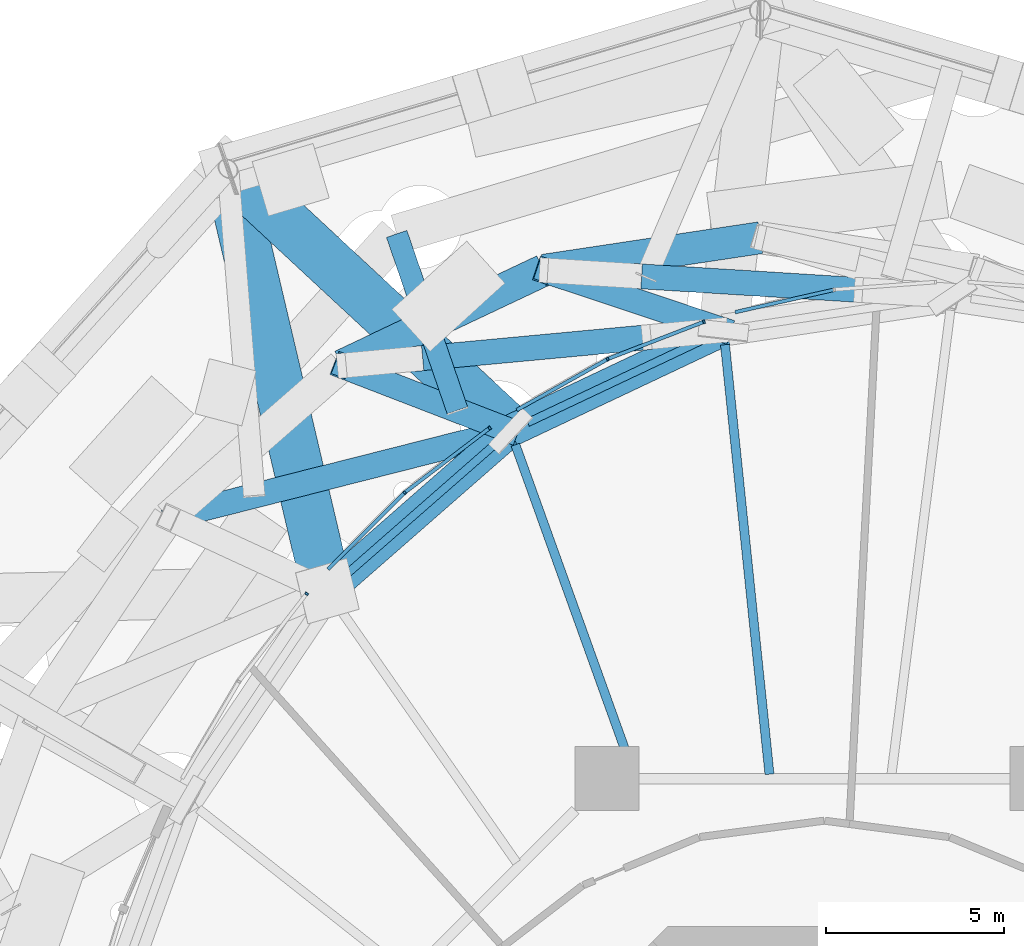
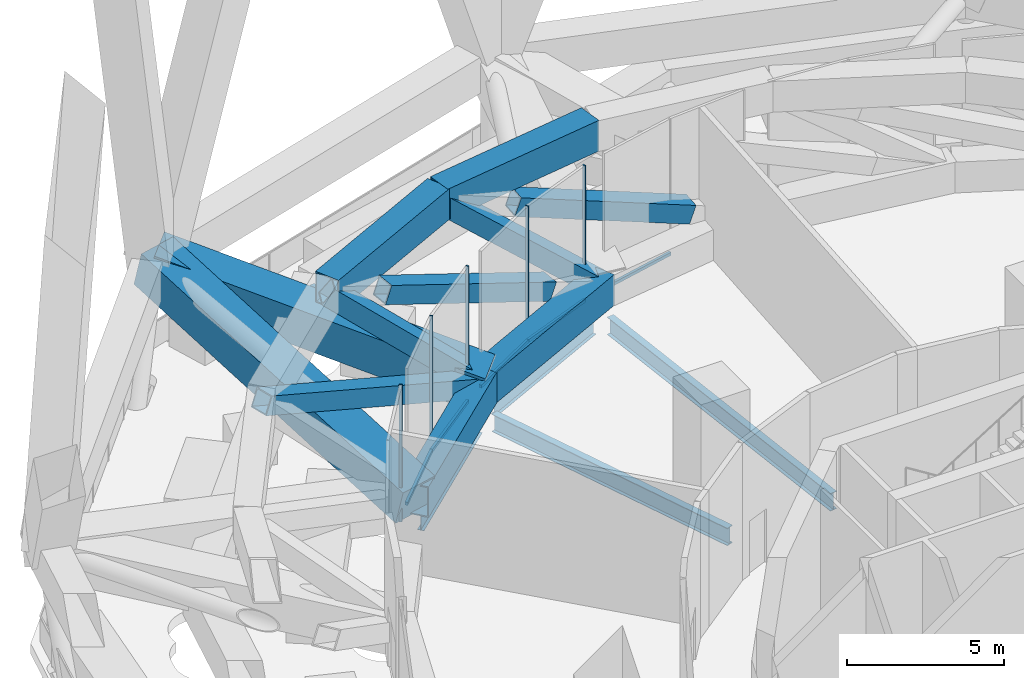
# One storey, part 34 of 60: 13 beams, 13 members, 6 elements without a shape of their own.
"""IFC4 building model written with IfcOpenShell, lengths in metres."""

from ifc_helpers import new_model, si_unit, direction, frame, origin, origin_2d, place, context, subcontext, project, spatial, rectangle, hollow_rectangle, hollow_circle, i_section, extrude, material, layer, layer_set, material_profile, profile_set, type_object, element, aggregate, save


model = new_model("IFC4")

# Units and contexts
model_context = context("Model", 3, precision=1e-05, world=origin(), true_north=direction((0.0, 1.0)))
body_context = subcontext(model_context, "Body", "Model", "MODEL_VIEW")
ifc_project = project(units=[si_unit("LENGTHUNIT", "METRE"), si_unit("AREAUNIT", "SQUARE_METRE"), si_unit("VOLUMEUNIT", "CUBIC_METRE"), si_unit("PLANEANGLEUNIT", "RADIAN"), si_unit("MASSUNIT", "GRAM", prefix="KILO")], contexts=[model_context])

# Site, building, storey
site_placement = place(None, origin())
site = spatial("IfcSite", under=ifc_project, at=site_placement, CompositionType="ELEMENT")
building_placement = place(site_placement, origin())
building = spatial("IfcBuilding", under=site, at=building_placement, Name="Nagisa Residences", CompositionType="ELEMENT")
storey_placement = place(building_placement, frame((0.0, 0.0, 206.60009765625)))
storey = spatial("IfcBuildingStorey", under=building, at=storey_placement, Name="L52", CompositionType="ELEMENT", Elevation=206.60009765625)

# Beams
ifc_material_1 = material(Name="Steel ASTM A572 Gr 50", Category="steel")
ifc_material_profile_1 = material_profile(ifc_material_1, hollow_rectangle(XDim=0.89990234375, YDim=1.199951171875, WallThickness=0.044921875, at=origin_2d()), Name="BX 900x1200x45")
ifc_profile_set_1 = profile_set([ifc_material_profile_1], Name="Steel ASTM A572 Gr 50")
beam_type_1 = type_object("IfcBeamType", Name="Belt chord 4 BX 900x1200x45", PredefinedType="BEAM", material=ifc_profile_set_1)
beam_1_placement = place(storey_placement, frame((-1.800048828125, 30.0078125, 4.739990234375), z_axis=(-0.988907595105, -0.14853204484, 0.0), x_axis=(0.14853204484, -0.988907595105, 0.0)))
element("IfcBeam", 1, at=beam_1_placement, inside=storey, type_object=beam_type_1, Name="beam:L52:bt4t07", PredefinedType="BEAM", context=body_context, shape_type="SweptSolid", body=[
    extrude(hollow_rectangle(XDim=0.89990234375, YDim=1.199951171875, WallThickness=0.044921875, at=origin_2d()), origin(), (0.0, 0.0, 1.0), 6.168701171875),
])
beam_2_placement = place(storey_placement, frame((-2.838134765625, 27.408203125, 0.599853515625), z_axis=(-0.90414798846, -0.427219399097, 0.0), x_axis=(0.427219399097, -0.90414798846, 0.0)))
element("IfcBeam", 2, at=beam_2_placement, inside=storey, type_object=beam_type_1, Name="beam:L52:bt4b08", PredefinedType="BEAM", context=body_context, shape_type="SweptSolid", body=[
    extrude(hollow_rectangle(XDim=0.89990234375, YDim=1.199951171875, WallThickness=0.044921875, at=origin_2d()), origin(), (0.0, 0.0, 1.0), 6.63525390625),
])
beam_3_placement = place(storey_placement, frame((-7.900390625, 29.091552734375, 4.739990234375), z_axis=(-0.904116998377, -0.427284978961, 0.0), x_axis=(0.427284978961, -0.904116998377, 0.0)))
element("IfcBeam", 3, at=beam_3_placement, inside=storey, type_object=beam_type_1, Name="beam:L52:bt4t08", PredefinedType="BEAM", context=body_context, shape_type="SweptSolid", body=[
    extrude(hollow_rectangle(XDim=0.89990234375, YDim=1.199951171875, WallThickness=0.044921875, at=origin_2d()), origin(), (0.0, 0.0, 1.0), 6.287353515625),
])
beam_4_placement = place(storey_placement, frame((-8.83740234375, 24.573486328125, 0.599853515625), z_axis=(-0.75247507353, -0.658620728277, 0.0), x_axis=(0.658620728277, -0.75247507353, 0.0)))
element("IfcBeam", 4, at=beam_4_placement, inside=storey, type_object=beam_type_1, Name="beam:L52:bt4b09", PredefinedType="BEAM", context=body_context, shape_type="SweptSolid", body=[
    extrude(hollow_rectangle(XDim=0.89990234375, YDim=1.199951171875, WallThickness=0.044921875, at=origin_2d()), origin(), (0.0, 0.0, 1.0), 6.846435546875),
])
ifc_material_2 = material(Name="Steel ASTM A572 Gr 50", Category="steel")
ifc_material_profile_2 = material_profile(ifc_material_2, hollow_rectangle(XDim=0.699951171875, YDim=0.699951171875, WallThickness=0.0400390625, at=origin_2d()), Name="BX 700x700x40")
ifc_profile_set_2 = profile_set([ifc_material_profile_2], Name="Steel ASTM A572 Gr 50")
beam_type_2 = type_object("IfcBeamType", Name="Belt diagonal 4 BX 700x700x40", PredefinedType="BEAM", material=ifc_profile_set_2)
beam_5_placement = place(storey_placement, frame((0.9609375, 28.539306640625, 1.5498046875), z_axis=(-0.939278549014, 0.058522946437, 0.338128484608), x_axis=(-0.062185686058, -0.998064597333, 0.0)))
element("IfcBeam", 5, at=beam_5_placement, inside=storey, type_object=beam_type_2, Name="beam:L52:bt4db07", PredefinedType="BEAM", context=body_context, shape_type="SweptSolid", body=[
    extrude(hollow_rectangle(XDim=0.699951171875, YDim=0.699951171875, WallThickness=0.0400390625, at=origin_2d()), origin(), (0.0, 0.0, 1.0), 6.624755859375),
])
beam_6_placement = place(storey_placement, frame((-2.838134765625, 27.408203125, 0.599853515625), z_axis=(-0.749648552619, 0.249280287934, 0.613095739345), x_axis=(-0.315541226611, -0.948911868568, 0.0)))
element("IfcBeam", 6, at=beam_6_placement, inside=storey, type_object=beam_type_2, Name="beam:L52:bt4da08", PredefinedType="BEAM", context=body_context, shape_type="SweptSolid", body=[
    extrude(hollow_rectangle(XDim=0.699951171875, YDim=0.699951171875, WallThickness=0.0400390625, at=origin_2d()), origin(), (0.0, 0.0, 1.0), 6.7529296875),
])
beam_7_placement = place(storey_placement, frame((-5.005615234375, 27.205810546875, 1.434814453125), z_axis=(-0.929631215902, -0.086759928038, 0.358131983083), x_axis=(0.092923450234, -0.995673255841, 0.0)))
element("IfcBeam", 7, at=beam_7_placement, inside=storey, type_object=beam_type_2, Name="beam:L52:bt4db08", PredefinedType="BEAM", context=body_context, shape_type="SweptSolid", body=[
    extrude(hollow_rectangle(XDim=0.699951171875, YDim=0.699951171875, WallThickness=0.0400390625, at=origin_2d()), origin(), (0.0, 0.0, 1.0), 6.9111328125),
])
beam_8_placement = place(storey_placement, frame((-8.83740234375, 24.573486328125, 0.599853515625), z_axis=(-0.723704839664, 0.279195397879, 0.631111111335), x_axis=(-0.359930537709, -0.932979103745, 0.0)))
element("IfcBeam", 8, at=beam_8_placement, inside=storey, type_object=beam_type_2, Name="beam:L52:bt4da09", PredefinedType="BEAM", context=body_context, shape_type="SweptSolid", body=[
    extrude(hollow_rectangle(XDim=0.699951171875, YDim=0.699951171875, WallThickness=0.0400390625, at=origin_2d()), origin(), (0.0, 0.0, 1.0), 6.56005859375),
])
beam_9_placement = place(storey_placement, frame((-8.83740234375, 24.573486328125, 0.599853515625), z_axis=(-0.894727330807, -0.226874775878, 0.384695775356), x_axis=(0.245789927394, -0.969323120322, 0.0)))
element("IfcBeam", 9, at=beam_9_placement, inside=storey, type_object=beam_type_2, Name="beam:L52:bt4db09", PredefinedType="BEAM", context=body_context, shape_type="SweptSolid", body=[
    extrude(hollow_rectangle(XDim=0.699951171875, YDim=0.699951171875, WallThickness=0.0400390625, at=origin_2d()), origin(), (0.0, 0.0, 1.0), 10.76220703125),
])

# Curtain wall, member
ifc_material_3 = material(Name="Aluminium curtain wall system", Category="aluminium")
ifc_layer = layer(ifc_material_3, 0.159912109375)
ifc_layer_set = layer_set([ifc_layer], Name="CW5 CURTAIN WALL")
curtain_wall_type = type_object("IfcCurtainWallType", Name="CW5 CURTAIN WALL", PredefinedType="NOTDEFINED", material=ifc_layer_set)
curtain_wall_1_placement = place(storey_placement, origin())
curtain_wall_1 = element("IfcCurtainWall", 10, at=curtain_wall_1_placement, inside=storey, type_object=curtain_wall_type, Name="cw:CW5:L52:14", PredefinedType="NOTDEFINED")
ifc_material_4 = material(Name="Aluminium", Category="aluminium")
ifc_material_profile_3 = material_profile(ifc_material_4, rectangle(XDim=0.10009765625, YDim=0.06005859375, at=origin_2d()), Name="CW5 MULLION 100x60")
ifc_profile_set_3 = profile_set([ifc_material_profile_3], Name="Aluminium")
member_type_1 = type_object("IfcMemberType", Name="CW5 MULLION 100x60", PredefinedType="MULLION", material=ifc_profile_set_3)
member_1_placement = place(storey_placement, frame((-3.386474609375, 27.6435546875, 0.0), z_axis=(0.0, 0.0, 1.0), x_axis=(0.360327770268, -0.932825759707, 0.0)))
member_1 = element("IfcMember", 11, at=member_1_placement, type_object=member_type_1, Name="CW5 mullion", PredefinedType="MULLION", context=body_context, shape_type="SweptSolid", body=[
    extrude(rectangle(XDim=0.10009765625, YDim=0.06005859375, at=origin_2d()), origin(), (0.0, 0.0, 1.0), 5.33984375),
])

curtain_wall_2_placement = place(storey_placement, origin())
curtain_wall_2 = element("IfcCurtainWall", 12, at=curtain_wall_2_placement, inside=storey, type_object=curtain_wall_type, Name="cw:CW5:L52:15", PredefinedType="NOTDEFINED")
member_2_placement = place(storey_placement, frame((-6.09765625, 26.592529296875, 0.0), z_axis=(0.0, 0.0, 1.0), x_axis=(0.489376918501, -0.872072377523, 0.0)))
member_2 = element("IfcMember", 13, at=member_2_placement, type_object=member_type_1, Name="CW5 mullion", PredefinedType="MULLION", context=body_context, shape_type="SweptSolid", body=[
    extrude(rectangle(XDim=0.10009765625, YDim=0.06005859375, at=origin_2d()), origin(), (0.0, 0.0, 1.0), 5.33984375),
])

curtain_wall_3_placement = place(storey_placement, origin())
curtain_wall_3 = element("IfcCurtainWall", 14, at=curtain_wall_3_placement, inside=storey, type_object=curtain_wall_type, Name="cw:CW5:L52:16", PredefinedType="NOTDEFINED")
member_3_placement = place(storey_placement, frame((-9.421142578125, 24.65234375, 0.0), z_axis=(0.0, 0.0, 1.0), x_axis=(0.605255421737, -0.79603132756, 0.0)))
member_3 = element("IfcMember", 15, at=member_3_placement, type_object=member_type_1, Name="CW5 mullion", PredefinedType="MULLION", context=body_context, shape_type="SweptSolid", body=[
    extrude(rectangle(XDim=0.10009765625, YDim=0.06005859375, at=origin_2d()), origin(), (0.0, 0.0, 1.0), 5.33984375),
])

curtain_wall_4_placement = place(storey_placement, origin())
curtain_wall_4 = element("IfcCurtainWall", 16, at=curtain_wall_4_placement, inside=storey, type_object=curtain_wall_type, Name="cw:CW5:L52:17", PredefinedType="NOTDEFINED")
member_4_placement = place(storey_placement, frame((-11.81201171875, 22.830322265625, 0.0), z_axis=(0.0, 0.0, 1.0), x_axis=(0.706376885714, -0.707835924016, 0.0)))
member_4 = element("IfcMember", 17, at=member_4_placement, type_object=member_type_1, Name="CW5 mullion", PredefinedType="MULLION", context=body_context, shape_type="SweptSolid", body=[
    extrude(rectangle(XDim=0.10009765625, YDim=0.06005859375, at=origin_2d()), origin(), (0.0, 0.0, 1.0), 5.33984375),
])

curtain_wall_5_placement = place(storey_placement, origin())
curtain_wall_5 = element("IfcCurtainWall", 18, at=curtain_wall_5_placement, inside=storey, type_object=curtain_wall_type, Name="cw:CW5:L52:18", PredefinedType="NOTDEFINED")
member_5_placement = place(storey_placement, frame((-14.572509765625, 19.98876953125, 0.0), z_axis=(0.0, 0.0, 1.0), x_axis=(0.792070340816, -0.610429828235, 0.0)))
member_5 = element("IfcMember", 19, at=member_5_placement, type_object=member_type_1, Name="CW5 mullion", PredefinedType="MULLION", context=body_context, shape_type="SweptSolid", body=[
    extrude(rectangle(XDim=0.10009765625, YDim=0.06005859375, at=origin_2d()), origin(), (0.0, 0.0, 1.0), 5.33984375),
])
aggregate(curtain_wall_5, [member_5])

curtain_wall_6_placement = place(storey_placement, origin())
curtain_wall_6 = element("IfcCurtainWall", 20, at=curtain_wall_6_placement, inside=storey, type_object=curtain_wall_type, Name="cw:CW5:L52:13", PredefinedType="NOTDEFINED")
ifc_material_5 = material(Name="Aluminium", Category="aluminium")
ifc_material_profile_4 = material_profile(ifc_material_5, rectangle(XDim=0.10009765625, YDim=0.1201171875, at=origin_2d()), Name="CW5 TRANSOM 100x120")
ifc_profile_set_4 = profile_set([ifc_material_profile_4], Name="Aluminium")
member_type_2 = type_object("IfcMemberType", Name="CW5 TRANSOM 100x120", PredefinedType="USERDEFINED", material=ifc_profile_set_4)
member_6_placement = place(storey_placement, frame((0.3056640625, 28.550048828125, 0.059814453125), z_axis=(-0.975316047174, -0.220813514364, 0.0), x_axis=(0.220813514364, -0.975316047174, 0.0)))
member_6 = element("IfcMember", 21, at=member_6_placement, type_object=member_type_2, Name="CW5 transom", ObjectType="TRANSOM", PredefinedType="USERDEFINED", context=body_context, shape_type="SweptSolid", body=[
    extrude(rectangle(XDim=0.10009765625, YDim=0.1201171875, at=origin_2d()), origin(), (0.0, 0.0, 1.0), 2.887939453125),
])
aggregate(curtain_wall_6, [member_6])

# Member
member_7_placement = place(storey_placement, frame((-3.3583984375, 27.654296875, 0.059814453125), z_axis=(-0.932823050178, -0.36033478469, 0.0), x_axis=(0.36033478469, -0.932823050178, 0.0)))
member_7 = element("IfcMember", 22, at=member_7_placement, type_object=member_type_2, Name="CW5 transom", ObjectType="TRANSOM", PredefinedType="USERDEFINED", context=body_context, shape_type="SweptSolid", body=[
    extrude(rectangle(XDim=0.10009765625, YDim=0.1201171875, at=origin_2d()), origin(), (0.0, 0.0, 1.0), 2.91943359375),
])

aggregate(curtain_wall_1, [member_1, member_7])

member_8_placement = place(storey_placement, frame((-6.071533203125, 26.607177734375, 0.059814453125), z_axis=(-0.872089879438, -0.489345728685, 0.0), x_axis=(0.489345728685, -0.872089879438, 0.0)))
member_8 = element("IfcMember", 23, at=member_8_placement, type_object=member_type_2, Name="CW5 transom", ObjectType="TRANSOM", PredefinedType="USERDEFINED", context=body_context, shape_type="SweptSolid", body=[
    extrude(rectangle(XDim=0.10009765625, YDim=0.1201171875, at=origin_2d()), origin(), (0.0, 0.0, 1.0), 2.963623046875),
])

aggregate(curtain_wall_2, [member_2, member_8])

member_9_placement = place(storey_placement, frame((-9.397216796875, 24.67041015625, 0.059814453125), z_axis=(-0.79604990445, -0.605230988653, 0.0), x_axis=(0.605230988653, -0.79604990445, 0.0)))
member_9 = element("IfcMember", 24, at=member_9_placement, type_object=member_type_2, Name="CW5 transom", ObjectType="TRANSOM", PredefinedType="USERDEFINED", context=body_context, shape_type="SweptSolid", body=[
    extrude(rectangle(XDim=0.10009765625, YDim=0.1201171875, at=origin_2d()), origin(), (0.0, 0.0, 1.0), 3.016845703125),
])

aggregate(curtain_wall_3, [member_3, member_9])

member_10_placement = place(storey_placement, frame((-11.790771484375, 22.8515625, 0.059814453125), z_axis=(-0.707820829563, -0.706392011022, 0.0), x_axis=(0.706392011022, -0.707820829563, 0.0)))
member_10 = element("IfcMember", 25, at=member_10_placement, type_object=member_type_2, Name="CW5 transom", ObjectType="TRANSOM", PredefinedType="USERDEFINED", context=body_context, shape_type="SweptSolid", body=[
    extrude(rectangle(XDim=0.10009765625, YDim=0.1201171875, at=origin_2d()), origin(), (0.0, 0.0, 1.0), 3.07568359375),
])

aggregate(curtain_wall_4, [member_4, member_10])

# Members
ifc_material_6 = material(Name="Concrete C80", Category="concrete")
ifc_material_profile_5 = material_profile(ifc_material_6, rectangle(XDim=1.39990234375, YDim=1.39990234375, at=origin_2d()), Name="C80 1400x1400")
ifc_profile_set_5 = profile_set([ifc_material_profile_5], Name="Concrete C80")
member_type_3 = type_object("IfcMemberType", Name="Cage bracket 5 C80 1400x1400", PredefinedType="BRACE", material=ifc_profile_set_5)
member_11_placement = place(storey_placement, frame((-16.784912109375, 31.94775390625, 3.699951171875), z_axis=(0.704802093229, -0.653965755106, -0.274923262981), x_axis=(0.680175521826, 0.733049288595, 0.0)))
element("IfcMember", 26, at=member_11_placement, inside=storey, type_object=member_type_3, Name="mem:L52:cg4ob03", PredefinedType="BRACE", context=body_context, shape_type="SweptSolid", body=[
    extrude(rectangle(XDim=1.39990234375, YDim=1.39990234375, at=origin_2d()), origin(), (0.0, 0.0, 1.0), 11.276123046875),
])
member_12_placement = place(storey_placement, frame((-16.784912109375, 31.94775390625, 3.699951171875), z_axis=(0.221957778918, -0.943480472345, -0.246128711615), x_axis=(0.973425822717, 0.22900254948, 0.0)))
element("IfcMember", 27, at=member_12_placement, inside=storey, type_object=member_type_3, Name="mem:L52:cg4ob04", PredefinedType="BRACE", context=body_context, shape_type="SweptSolid", body=[
    extrude(rectangle(XDim=1.39990234375, YDim=1.39990234375, at=origin_2d()), origin(), (0.0, 0.0, 1.0), 12.595458984375),
])
ifc_material_7 = material(Name="Steel ASTM A572 Gr 65", Category="steel")
ifc_material_profile_6 = material_profile(ifc_material_7, hollow_circle(Radius=0.304931640625, WallThickness=0.02490234375, at=origin_2d()), Name="CHS 610x25")
ifc_profile_set_6 = profile_set([ifc_material_profile_6], Name="Steel ASTM A572 Gr 65")
member_type_4 = type_object("IfcMemberType", Name="Cage strut CHS 610x25", PredefinedType="STRUT", material=ifc_profile_set_6)
member_13_placement = place(storey_placement, frame((-12.03759765625, 30.115966796875, 1.89990234375), z_axis=(0.325373297901, -0.945585647635, 0.0), x_axis=(0.945585647635, 0.325373297901, 0.0)))
element("IfcMember", 28, at=member_13_placement, inside=storey, type_object=member_type_4, Name="mem:L52:bt4st4a05", PredefinedType="STRUT", context=body_context, shape_type="SweptSolid", body=[
    extrude(hollow_circle(Radius=0.304931640625, WallThickness=0.02490234375, at=origin_2d()), origin(), (0.0, 0.0, 1.0), 5.253173828125),
])

# Beams
ifc_material_8 = material(Name="Steel ASTM A572 Gr 50", Category="steel")
ifc_material_profile_7 = material_profile(ifc_material_8, i_section(OverallWidth=0.22802734375, OverallDepth=0.60302734375, WebThickness=0.010498046875, FlangeThickness=0.014892578125, at=origin_2d()), Name="W610x101")
ifc_profile_set_7 = profile_set([ifc_material_profile_7], Name="Steel ASTM A572 Gr 50")
beam_type_3 = type_object("IfcBeamType", Name="Perimeter ring beam W610x101", PredefinedType="BEAM", material=ifc_profile_set_7)
beam_10_placement = place(storey_placement, frame((-3.32275390625, 27.17919921875, -0.651611328125), z_axis=(-0.904157325884, -0.427199637232, 0.0), x_axis=(0.427199637232, -0.904157325884, 0.0)))
element("IfcBeam", 29, at=beam_10_placement, inside=storey, type_object=beam_type_3, Name="beam:L52:pb08", PredefinedType="BEAM", context=body_context, shape_type="SweptSolid", body=[
    extrude(i_section(OverallWidth=0.22802734375, OverallDepth=0.60302734375, WebThickness=0.010498046875, FlangeThickness=0.014892578125, at=origin_2d()), origin(), (0.0, 0.0, 1.0), 5.56396484375),
])
beam_11_placement = place(storey_placement, frame((-9.240234375, 24.220947265625, -0.651611328125), z_axis=(-0.752461486776, -0.658636250838, 0.0), x_axis=(0.658636250838, -0.752461486776, 0.0)))
element("IfcBeam", 30, at=beam_11_placement, inside=storey, type_object=beam_type_3, Name="beam:L52:pb09", PredefinedType="BEAM", context=body_context, shape_type="SweptSolid", body=[
    extrude(i_section(OverallWidth=0.22802734375, OverallDepth=0.60302734375, WebThickness=0.010498046875, FlangeThickness=0.014892578125, at=origin_2d()), origin(), (0.0, 0.0, 1.0), 5.776611328125),
])
ifc_material_9 = material(Name="Steel ASTM A572 Gr 50", Category="steel")
ifc_material_profile_8 = material_profile(ifc_material_9, i_section(OverallWidth=0.25390625, OverallDepth=0.68408203125, WebThickness=0.012451171875, FlangeThickness=0.018798828125, at=origin_2d()), Name="W690x140")
ifc_profile_set_8 = profile_set([ifc_material_profile_8], Name="Steel ASTM A572 Gr 50")
beam_type_4 = type_object("IfcBeamType", Name="Radial beam W690x140", PredefinedType="BEAM", material=ifc_profile_set_8)
beam_12_placement = place(storey_placement, frame((-2.795654296875, 26.997314453125, -0.692138671875), z_axis=(0.103009490755, -0.994680373192, 0.0), x_axis=(0.994680373192, 0.103009490755, 0.0)))
element("IfcBeam", 31, at=beam_12_placement, inside=storey, type_object=beam_type_4, Name="beam:L52:rb08", PredefinedType="BEAM", context=body_context, shape_type="SweptSolid", body=[
    extrude(i_section(OverallWidth=0.25390625, OverallDepth=0.68408203125, WebThickness=0.012451171875, FlangeThickness=0.018798828125, at=origin_2d()), origin(), (0.0, 0.0, 1.0), 12.15380859375),
])
beam_13_placement = place(storey_placement, frame((-8.6962890625, 24.180908203125, -0.692138671875), z_axis=(0.338418499513, -0.940995706253, 0.0), x_axis=(0.940995706253, 0.338418499513, 0.0)))
element("IfcBeam", 32, at=beam_13_placement, inside=storey, type_object=beam_type_4, Name="beam:L52:rb09", PredefinedType="BEAM", context=body_context, shape_type="SweptSolid", body=[
    extrude(i_section(OverallWidth=0.25390625, OverallDepth=0.68408203125, WebThickness=0.012451171875, FlangeThickness=0.018798828125, at=origin_2d()), origin(), (0.0, 0.0, 1.0), 9.85302734375),
])

save(model, "model.ifc")
